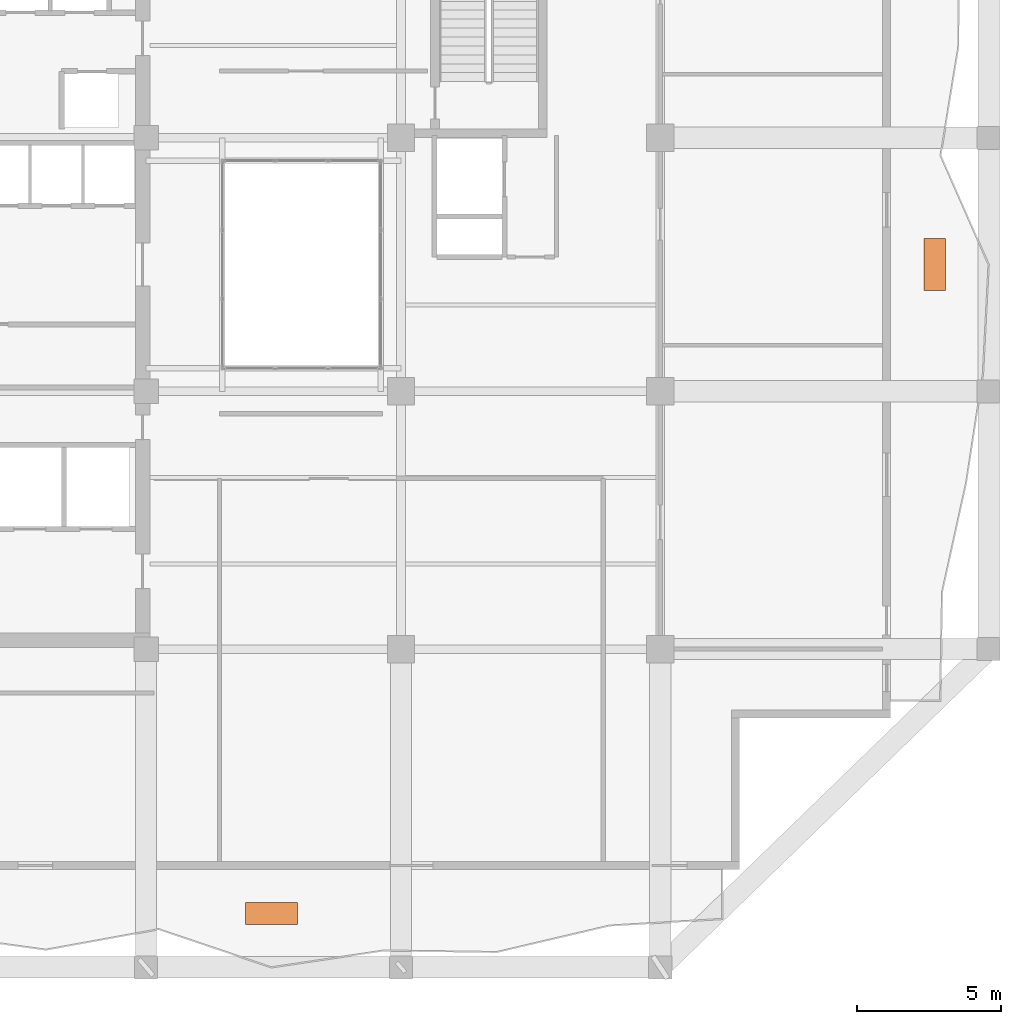
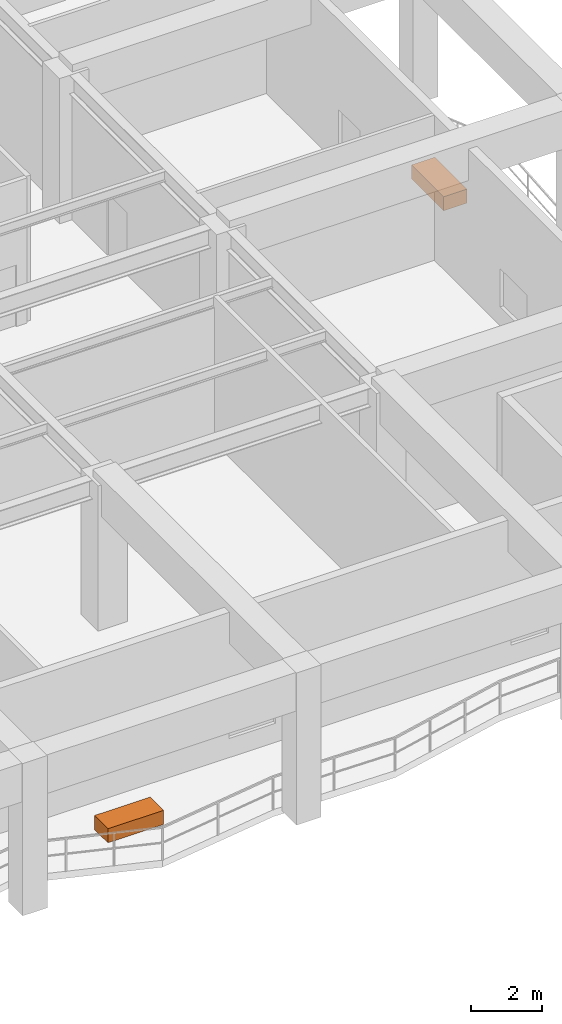
# One storey, part 13 of 13: 2 proxies.
"""IFC4 building model written with IfcOpenShell, lengths in metres."""

from ifc_helpers import new_model, si_unit, direction, frame, origin, origin_2d, place, context, subcontext, project, spatial, rectangle, extrude, material, type_object, element, save


model = new_model("IFC4")

# Units and contexts
model_context = context("Model", 3, precision=1e-05, world=origin(), true_north=direction((0.0, 1.0)))
body_context = subcontext(model_context, "Body", "Model", "MODEL_VIEW")
ifc_project = project(units=[si_unit("LENGTHUNIT", "METRE"), si_unit("AREAUNIT", "SQUARE_METRE"), si_unit("VOLUMEUNIT", "CUBIC_METRE"), si_unit("PLANEANGLEUNIT", "RADIAN"), si_unit("MASSUNIT", "GRAM", prefix="KILO")], contexts=[model_context])

# Site, building, storey
site_placement = place(None, origin())
site = spatial("IfcSite", under=ifc_project, at=site_placement, CompositionType="ELEMENT")
building_placement = place(site_placement, origin())
building = spatial("IfcBuilding", under=site, at=building_placement, Name="Kundavana Baori Tower", CompositionType="ELEMENT")
storey_placement = place(building_placement, frame((0.0, 0.0, 208.89990234375)))
storey = spatial("IfcBuildingStorey", under=building, at=storey_placement, Name="L51", CompositionType="ELEMENT", Elevation=208.89990234375)

# Proxies
ifc_material = material(Name="Red-Buff Dholpur Sandstone Cladding on Concrete C40/50", Category="masonry")
building_element_proxy_type = type_object("IfcBuildingElementProxyType", Name="PRX-PLANTER-1800", PredefinedType="USERDEFINED", material=ifc_material)
for number, where, z_axis, x_axis, name in (
    (1, (29.300048828125, 6.070068359375, 0.0), (0.0, 0.0, 1.0), (1.0, 0.0, 0.0), "L51 Dholpur Stone Structural Tree Planter S"),
    (2, (52.330078125, 28.60009765625, 0.0), (0.0, 0.0, 1.0), (0.0, 1.0, 0.0), "L51 Dholpur Stone Structural Tree Planter E"),
):
    element("IfcBuildingElementProxy", number, at=place(storey_placement, frame(where, z_axis=z_axis, x_axis=x_axis)), inside=storey, type_object=building_element_proxy_type, Name=name, ObjectType="PLANTER", PredefinedType="USERDEFINED", context=body_context, shape_type="SweptSolid", body=[
        extrude(rectangle(XDim=1.800048828125, YDim=0.75, at=origin_2d()), origin(), (0.0, 0.0, 1.0), 0.47998046875),
    ])

save(model, "model.ifc")
